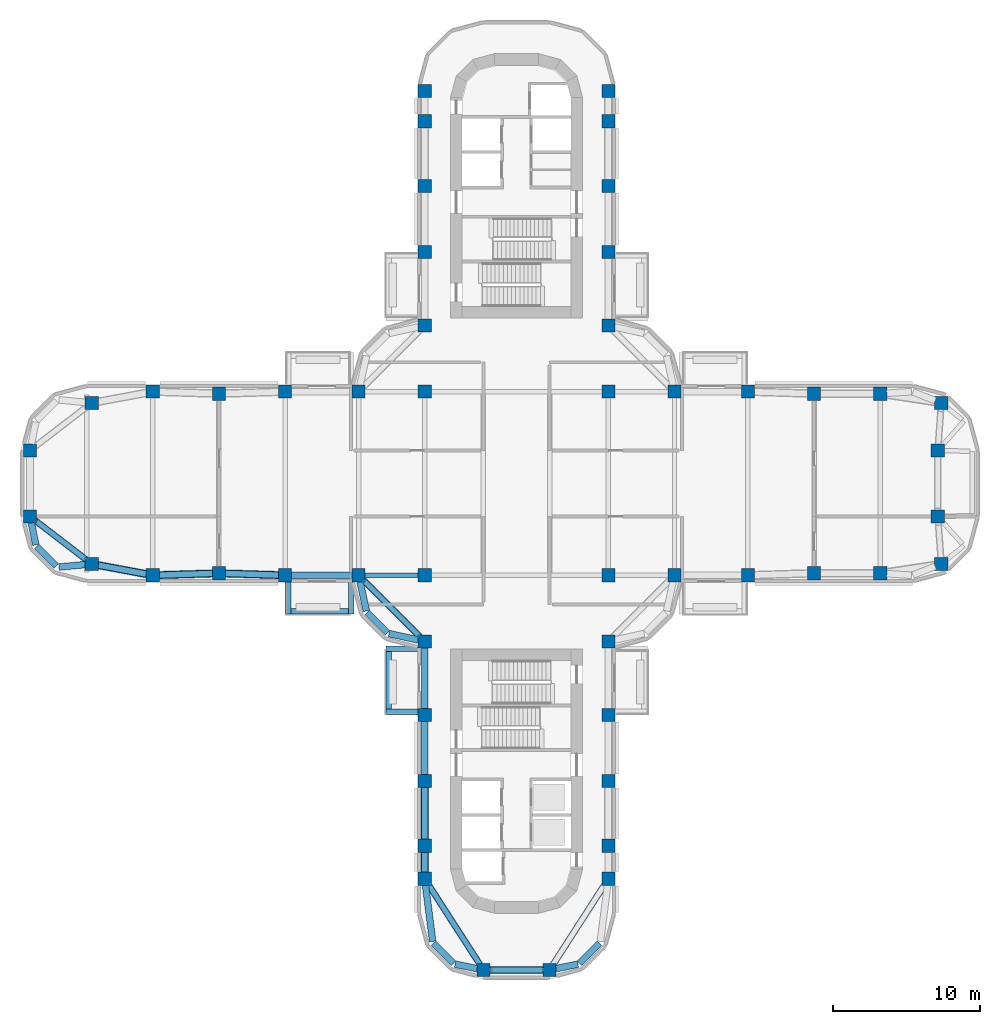
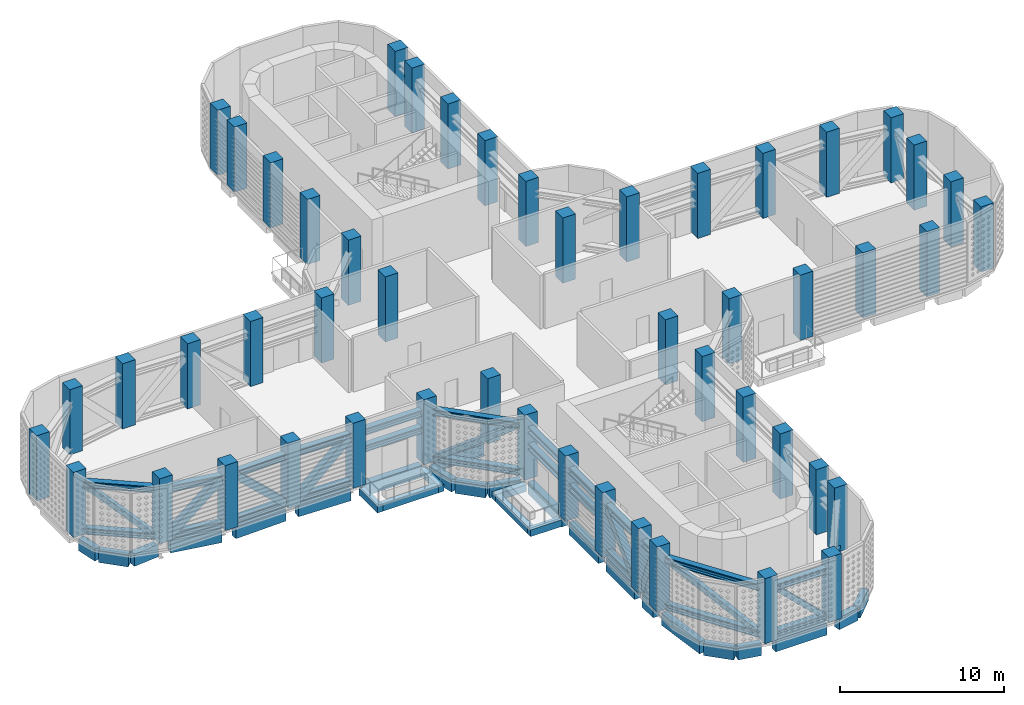
# One storey, part 1 of 20: 50 columns, 34 members, 27 beams.
"""IFC4 building model written with IfcOpenShell, lengths in metres."""

import ifcopenshell
import ifcopenshell.guid

model = None  # the IFC model being written
_history = None  # IfcOwnerHistory: only IFC2X3 demands one
_inside = {}  # id of a spatial element -> (the spatial element, [elements in it])
_under = {}  # id of a project, library or spatial element -> (it, [spatial elements below it])
_declared = {}  # id of a project -> (the project, [libraries it declares])
_typed = {}  # id of a type object -> (the type object, [elements of that type])
_made_of = {}  # id of a material, layer set ... -> (it, [elements and type objects made of it])


def new_model(schema):
    """Start an empty IFC model of exactly this schema.

    Asked for "IFC4X3", IfcOpenShell would pick the latest addendum, in which some entities
    have other attributes; the version numbers below select the first issue.
    IFC2X3 requires an IfcOwnerHistory on every rooted entity: one is made here for all.
    """
    global model, _history
    if schema == "IFC4X3":
        model = ifcopenshell.file(schema_version=(4, 3, 0, 0))
    else:
        model = ifcopenshell.file(schema=schema)
    _inside.clear()
    _under.clear()
    _declared.clear()
    _typed.clear()
    _made_of.clear()
    _history = None
    if model.schema == "IFC2X3":
        org = make("IfcOrganization", Name="unknown")
        user = make(
            "IfcPersonAndOrganization",
            ThePerson=make("IfcPerson", FamilyName="unknown"),
            TheOrganization=org,
        )
        app = make(
            "IfcApplication",
            ApplicationDeveloper=org,
            Version="unknown",
            ApplicationFullName="unknown",
            ApplicationIdentifier="unknown",
        )
        _history = make(
            "IfcOwnerHistory",
            OwningUser=user,
            OwningApplication=app,
            ChangeAction="ADDED",
            CreationDate=0,
        )
    return model


def make(cls, **values):
    """One entity of the class cls with the attributes given. An attribute that is None is left unset."""
    return model.create_entity(
        cls, **{name: value for name, value in values.items() if value is not None}
    )


def rooted(cls, **values):
    """An entity with a GlobalId (a new one), such as an element, a storey or a relation."""
    return make(cls, GlobalId=ifcopenshell.guid.new(), OwnerHistory=_history, **values)


def si_unit(unit_type, name, prefix=None):
    """IfcSIUnit, for example si_unit("LENGTHUNIT", "METRE", prefix="MILLI")."""
    return make("IfcSIUnit", UnitType=unit_type, Prefix=prefix, Name=name)


def assignment(units):
    """IfcUnitAssignment: the units of a project."""
    return None if units is None else make("IfcUnitAssignment", Units=units)


def point(xyz):
    """IfcCartesianPoint."""
    return None if xyz is None else make("IfcCartesianPoint", Coordinates=xyz)


def direction(xyz):
    """IfcDirection."""
    return None if xyz is None else make("IfcDirection", DirectionRatios=xyz)


def frame(location, z_axis=None, x_axis=None):
    """IfcAxis2Placement3D, a coordinate frame: its origin and axes. An axis left out is left unset."""
    return make(
        "IfcAxis2Placement3D",
        Location=point(location),
        Axis=direction(z_axis),
        RefDirection=direction(x_axis),
    )


def frame_2d(location, x_axis=None):
    """IfcAxis2Placement2D, a coordinate frame in the plane: its origin and x axis."""
    return make(
        "IfcAxis2Placement2D", Location=point(location), RefDirection=direction(x_axis)
    )


def origin():
    """The frame at (0, 0, 0) with its axes left unset."""
    return frame((0.0, 0.0, 0.0))


def origin_2d():
    """The frame at (0, 0) in the plane with its x axis left unset."""
    return frame_2d((0.0, 0.0))


def place(relative_to, where):
    """IfcLocalPlacement: puts the frame where relative to a parent placement (None: the world)."""
    return make(
        "IfcLocalPlacement", PlacementRelTo=relative_to, RelativePlacement=where
    )


def context(
    kind, dimensions, precision=None, world=None, true_north=None, identifier=None
):
    """IfcGeometricRepresentationContext, for example the 3D "Model" context."""
    return make(
        "IfcGeometricRepresentationContext",
        ContextIdentifier=identifier,
        ContextType=kind,
        CoordinateSpaceDimension=dimensions,
        Precision=precision,
        WorldCoordinateSystem=world,
        TrueNorth=true_north,
    )


def subcontext(parent, identifier, kind, view, scale=None):
    """IfcGeometricRepresentationSubContext, for example "Body" below "Model"."""
    return make(
        "IfcGeometricRepresentationSubContext",
        ContextIdentifier=identifier,
        ContextType=kind,
        ParentContext=parent,
        TargetScale=scale,
        TargetView=view,
    )


def project(units=None, contexts=None):
    """IfcProject with its units and contexts."""
    return rooted(
        "IfcProject",
        Name="project",
        RepresentationContexts=contexts,
        UnitsInContext=assignment(units),
    )


def spatial(cls, under=None, at=None, **own):
    """A site, building, storey or space (cls), placed at a placement, below another one or the project."""
    s = rooted(cls, ObjectPlacement=at, **own)
    if under is not None:
        _under.setdefault(under.id(), (under, []))[1].append(s)
    return s


def profile(cls, at=None, kind="AREA", **sizes):
    """A parametric profile (cls). Its sizes go by their IFC names, for example OverallWidth=200.0."""
    return make(cls, ProfileType=kind, Position=at, **sizes)


def rectangle(**sizes):
    """IfcRectangleProfileDef."""
    return profile("IfcRectangleProfileDef", **sizes)


def hollow_rectangle(**sizes):
    """IfcRectangleHollowProfileDef."""
    return profile("IfcRectangleHollowProfileDef", **sizes)


def i_section(**sizes):
    """IfcIShapeProfileDef."""
    return profile("IfcIShapeProfileDef", **sizes)


def extrude(swept, where, along, depth):
    """IfcExtrudedAreaSolid: the profile swept, set in the frame where, extruded along a direction by depth."""
    return make(
        "IfcExtrudedAreaSolid",
        SweptArea=swept,
        Position=where,
        ExtrudedDirection=direction(along),
        Depth=depth,
    )


def shape(context_of_items, identifier, shape_type, items):
    """IfcShapeRepresentation: the items that make up one representation, for example the "Body"."""
    return make(
        "IfcShapeRepresentation",
        ContextOfItems=context_of_items,
        RepresentationIdentifier=identifier,
        RepresentationType=shape_type,
        Items=items,
    )


def material(Name=None, Category=None):
    """IfcMaterial."""
    return make("IfcMaterial", Name=Name, Category=Category)


def material_profile(
    of_material, cross_section, Name=None, Category=None, Priority=None
):
    """IfcMaterialProfile: a cross section and its material."""
    return make(
        "IfcMaterialProfile",
        Name=Name,
        Material=of_material,
        Profile=cross_section,
        Priority=Priority,
        Category=Category,
    )


def profile_set(profiles, Name=None, composite=None):
    """IfcMaterialProfileSet."""
    return make(
        "IfcMaterialProfileSet",
        Name=Name,
        MaterialProfiles=profiles,
        CompositeProfile=composite,
    )


def made_of(thing, what):
    """Note that an element or type object is made of a material, layer set ...; save() writes the relation."""
    if what is not None:
        _made_of.setdefault(what.id(), (what, []))[1].append(thing)
    return thing


def type_object(cls, material=None, **own):
    """A type object (cls), such as IfcWallType, which elements share."""
    return made_of(rooted(cls, **own), material)


def element(
    cls,
    number,
    at=None,
    inside=None,
    cuts=None,
    type_object=None,
    material=None,
    context=None,
    identifier="Body",
    shape_type=None,
    held_by="IfcProductDefinitionShape",
    body=None,
    shapes=None,
    **own,
):
    """One element of the class cls, such as IfcWall. Its Tag is "e" and its number.

    at: its placement. inside: the storey or other place that contains it. cuts: it is an
    opening in that element (IfcRelVoidsElement). A single representation is given by context,
    identifier, shape_type and body (its items); several are given by shapes. held_by: the class
    of the entity that holds the representations. save() writes the other relations.
    """
    e = rooted(cls, Tag="e%d" % number, ObjectPlacement=at, **own)
    if body is not None:
        shapes = [shape(context, identifier, shape_type, body)]
    if shapes is not None:
        e.Representation = make(held_by, Representations=shapes)
    if inside is not None:
        _inside.setdefault(inside.id(), (inside, []))[1].append(e)
    if cuts is not None:
        rooted(
            "IfcRelVoidsElement", RelatingBuildingElement=cuts, RelatedOpeningElement=e
        )
    if type_object is not None:
        _typed.setdefault(type_object.id(), (type_object, []))[1].append(e)
    return made_of(e, material)


def aggregate(whole, parts):
    """IfcRelAggregates: a whole, such as a stair, and the parts it consists of."""
    return rooted("IfcRelAggregates", RelatingObject=whole, RelatedObjects=parts)


def save(model, path):
    """Write the relations noted so far, then the file.

    IfcRelAggregates (storeys below a building ...), IfcRelContainedInSpatialStructure (elements
    in a storey), IfcRelDefinesByType, IfcRelAssociatesMaterial and IfcRelDeclares: one each for
    every whole, place, type object, material and project.
    """
    for whole, parts in _under.values():
        aggregate(whole, parts)
    for where, things in _inside.values():
        rooted(
            "IfcRelContainedInSpatialStructure",
            RelatedElements=things,
            RelatingStructure=where,
        )
    for kind, things in _typed.values():
        rooted("IfcRelDefinesByType", RelatedObjects=things, RelatingType=kind)
    for what, things in _made_of.values():
        rooted("IfcRelAssociatesMaterial", RelatedObjects=things, RelatingMaterial=what)
    for by, libraries in _declared.values():
        rooted("IfcRelDeclares", RelatingContext=by, RelatedDefinitions=libraries)
    model.write(path)


model = new_model("IFC4")

# Units and contexts
model_context = context("Model", 3, precision=1e-05, world=origin(), true_north=direction((0.0, 1.0)))
body_context = subcontext(model_context, "Body", "Model", "MODEL_VIEW")
ifc_project = project(units=[si_unit("LENGTHUNIT", "METRE"), si_unit("AREAUNIT", "SQUARE_METRE"), si_unit("VOLUMEUNIT", "CUBIC_METRE"), si_unit("PLANEANGLEUNIT", "RADIAN"), si_unit("MASSUNIT", "GRAM", prefix="KILO")], contexts=[model_context])

# Site, building, storey
site_placement = place(None, origin())
site = spatial("IfcSite", under=ifc_project, at=site_placement, CompositionType="ELEMENT")
building_placement = place(site_placement, origin())
building = spatial("IfcBuilding", under=site, at=building_placement, Name="Zarbagh Exchange Tower", CompositionType="ELEMENT")
storey_placement = place(building_placement, frame((0.0, 0.0, 136.0)))
storey = spatial("IfcBuildingStorey", under=building, at=storey_placement, Name="L32", CompositionType="ELEMENT", Elevation=136.0)

# Columns
ifc_material_1 = material(Name="Concrete C60/75", Category="concrete")
ifc_material_profile_1 = material_profile(ifc_material_1, rectangle(XDim=0.89990234375, YDim=0.89990234375, at=origin_2d()), Name="RC column 900 x 900 C60/75")
ifc_profile_set_1 = profile_set([ifc_material_profile_1], Name="Concrete C60/75")
column_type = type_object("IfcColumnType", Name="RC column 900 x 900 C60/75", PredefinedType="COLUMN", material=ifc_profile_set_1)
for number, where, z_axis, x_axis, name in (
    (1, (-33.110107421875, -2.25, 0.0), (0.0, 0.0, 1.0), (1.0, 0.0, 0.0), "C3 10/S"),
    (2, (-33.110107421875, 2.25, 0.0), (0.0, 0.0, 1.0), (1.0, 0.0, 0.0), "C3 10/T"),
    (3, (-28.907958984375, -5.47509765625, 0.0), (0.0, 0.0, 1.0), (1.0, 0.0, 0.0), "C3 11/R"),
    (4, (-28.907958984375, 5.47509765625, 0.0), (0.0, 0.0, 1.0), (1.0, 0.0, 0.0), "C3 11/U"),
    (5, (-24.75, -6.25, 0.0), (0.0, 0.0, 1.0), (1.0, 0.0, 0.0), "C3 12/R"),
    (6, (-24.75, 6.25, 0.0), (0.0, 0.0, 1.0), (1.0, 0.0, 0.0), "C3 12/U"),
    (7, (-20.25, -6.110107421875, 0.0), (0.0, 0.0, 1.0), (1.0, 0.0, 0.0), "C3 13/R"),
    (8, (-20.25, 6.110107421875, 0.0), (0.0, 0.0, 1.0), (1.0, 0.0, 0.0), "C3 13/U"),
    (9, (-15.75, -6.25, 0.0), (0.0, 0.0, 1.0), (1.0, 0.0, 0.0), "C3 14/R"),
    (10, (-15.75, 6.25, 0.0), (0.0, 0.0, 1.0), (1.0, 0.0, 0.0), "C3 14/U"),
    (11, (-10.75, -6.25, 0.0), (0.0, 0.0, 1.0), (1.0, 0.0, 0.0), "C3 15/R"),
    (12, (-10.75, 6.25, 0.0), (0.0, 0.0, 1.0), (1.0, 0.0, 0.0), "C3 15/U"),
    (13, (-6.25, -26.89990234375, 0.0), (0.0, 0.0, 1.0), (1.0, 0.0, 0.0), "C3 16/L"),
    (14, (-6.25, -24.64990234375, 0.0), (0.0, 0.0, 1.0), (1.0, 0.0, 0.0), "C3 16/M"),
    (15, (-6.25, -20.25, 0.0), (0.0, 0.0, 1.0), (1.0, 0.0, 0.0), "C3 16/N"),
    (16, (-6.25, -15.75, 0.0), (0.0, 0.0, 1.0), (1.0, 0.0, 0.0), "C3 16/P"),
    (17, (-6.25, -10.75, 0.0), (0.0, 0.0, 1.0), (1.0, 0.0, 0.0), "C3 16/Q"),
    (18, (-6.25, -6.25, 0.0), (0.0, 0.0, 1.0), (1.0, 0.0, 0.0), "C3 16/R"),
    (19, (-6.25, 6.25, 0.0), (0.0, 0.0, 1.0), (1.0, 0.0, 0.0), "C3 16/U"),
    (20, (-6.25, 10.75, 0.0), (0.0, 0.0, 1.0), (1.0, 0.0, 0.0), "C3 16/V"),
    (21, (-6.25, 15.75, 0.0), (0.0, 0.0, 1.0), (1.0, 0.0, 0.0), "C3 16/W"),
    (22, (-6.25, 20.25, 0.0), (0.0, 0.0, 1.0), (1.0, 0.0, 0.0), "C3 16/X"),
    (23, (-6.25, 24.64990234375, 0.0), (0.0, 0.0, 1.0), (1.0, 0.0, 0.0), "C3 16/Y"),
    (24, (-6.25, 26.699951171875, 0.0), (0.0, 0.0, 1.0), (1.0, 0.0, 0.0), "C3 16/Z"),
    (25, (-2.25, -33.110107421875, 0.0), (0.0, 0.0, 1.0), (1.0, 0.0, 0.0), "C3 17/K"),
    (26, (2.25, -33.110107421875, 0.0), (0.0, 0.0, 1.0), (1.0, 0.0, 0.0), "C3 18/K"),
    (27, (6.25, -26.89990234375, 0.0), (0.0, 0.0, 1.0), (1.0, 0.0, 0.0), "C3 19/L"),
    (28, (6.25, -24.64990234375, 0.0), (0.0, 0.0, 1.0), (1.0, 0.0, 0.0), "C3 19/M"),
    (29, (6.25, -20.25, 0.0), (0.0, 0.0, 1.0), (1.0, 0.0, 0.0), "C3 19/N"),
    (30, (6.25, -15.75, 0.0), (0.0, 0.0, 1.0), (1.0, 0.0, 0.0), "C3 19/P"),
    (31, (6.25, -10.75, 0.0), (0.0, 0.0, 1.0), (1.0, 0.0, 0.0), "C3 19/Q"),
    (32, (6.25, -6.25, 0.0), (0.0, 0.0, 1.0), (1.0, 0.0, 0.0), "C3 19/R"),
    (33, (6.25, 6.25, 0.0), (0.0, 0.0, 1.0), (1.0, 0.0, 0.0), "C3 19/U"),
    (34, (6.25, 10.75, 0.0), (0.0, 0.0, 1.0), (1.0, 0.0, 0.0), "C3 19/V"),
    (35, (6.25, 15.75, 0.0), (0.0, 0.0, 1.0), (1.0, 0.0, 0.0), "C3 19/W"),
    (36, (6.25, 20.25, 0.0), (0.0, 0.0, 1.0), (1.0, 0.0, 0.0), "C3 19/X"),
    (37, (6.25, 24.64990234375, 0.0), (0.0, 0.0, 1.0), (1.0, 0.0, 0.0), "C3 19/Y"),
    (38, (6.25, 26.699951171875, 0.0), (0.0, 0.0, 1.0), (1.0, 0.0, 0.0), "C3 19/Z"),
    (39, (10.75, -6.25, 0.0), (0.0, 0.0, 1.0), (1.0, 0.0, 0.0), "C3 20/R"),
    (40, (10.75, 6.25, 0.0), (0.0, 0.0, 1.0), (1.0, 0.0, 0.0), "C3 20/U"),
    (41, (15.75, -6.25, 0.0), (0.0, 0.0, 1.0), (1.0, 0.0, 0.0), "C3 21/R"),
    (42, (15.75, 6.25, 0.0), (0.0, 0.0, 1.0), (1.0, 0.0, 0.0), "C3 21/U"),
    (43, (20.25, -6.110107421875, 0.0), (0.0, 0.0, 1.0), (1.0, 0.0, 0.0), "C3 22/R"),
    (44, (20.25, 6.110107421875, 0.0), (0.0, 0.0, 1.0), (1.0, 0.0, 0.0), "C3 22/U"),
    (45, (24.75, -6.110107421875, 0.0), (0.0, 0.0, 1.0), (1.0, 0.0, 0.0), "C3 23/R"),
    (46, (24.75, 6.110107421875, 0.0), (0.0, 0.0, 1.0), (1.0, 0.0, 0.0), "C3 23/U"),
    (47, (28.907958984375, -5.47509765625, 0.0), (0.0, 0.0, 1.0), (1.0, 0.0, 0.0), "C3 24/R"),
    (48, (28.669921875, -2.25, 0.0), (0.0, 0.0, 1.0), (1.0, 0.0, 0.0), "C3 24/S"),
    (49, (28.669921875, 2.25, 0.0), (0.0, 0.0, 1.0), (1.0, 0.0, 0.0), "C3 24/T"),
    (50, (28.907958984375, 5.47509765625, 0.0), (0.0, 0.0, 1.0), (1.0, 0.0, 0.0), "C3 24/U"),
):
    element("IfcColumn", number, at=place(storey_placement, frame(where, z_axis=z_axis, x_axis=x_axis)), inside=storey, type_object=column_type, Name=name, PredefinedType="COLUMN", context=body_context, shape_type="SweptSolid", body=[
        extrude(rectangle(XDim=0.89990234375, YDim=0.89990234375, at=origin_2d()), origin(), (0.0, 0.0, 1.0), 4.85009765625),
    ])

# Members
ifc_material_2 = material(Name="Steel ASTM A992 Gr 50", Category="steel")
ifc_material_profile_2 = material_profile(ifc_material_2, i_section(OverallWidth=0.421630859375, OverallDepth=0.46484375, WebThickness=0.044921875, FlangeThickness=0.072509765625, at=origin_2d()), Name="W14X398")
ifc_profile_set_2 = profile_set([ifc_material_profile_2], Name="Steel ASTM A992 Gr 50")
member_type_1 = type_object("IfcMemberType", Name="Belt truss chord W14X398", PredefinedType="CHORD", material=ifc_profile_set_2)
for number, where, z_axis, x_axis, name in (
    (51, (-2.49365234375, -32.731689453125, 0.232421875), (-0.541516354651, 0.840690215029, 0.0), (-0.840690215029, -0.541516354651, 0.0), "Belt truss chord"),
    (52, (-2.49365234375, -32.731689453125, 3.697509765625), (-0.541516354651, 0.840690215029, 0.0), (-0.840690215029, -0.541516354651, 0.0), "Belt truss chord"),
):
    element("IfcMember", number, at=place(storey_placement, frame(where, z_axis=z_axis, x_axis=x_axis)), inside=storey, type_object=member_type_1, Name=name, PredefinedType="CHORD", context=body_context, shape_type="SweptSolid", body=[
        extrude(i_section(OverallWidth=0.421630859375, OverallDepth=0.46484375, WebThickness=0.044921875, FlangeThickness=0.072509765625, at=origin_2d()), origin(), (0.0, 0.0, 1.0), 6.48681640625),
    ])
for number, where, z_axis, x_axis, name in (
    (53, (-6.568115234375, -10.431884765625, 0.232421875), (-0.707106781187, 0.707106781187, 0.0), (-0.707106781187, -0.707106781187, 0.0), "Belt truss chord"),
    (54, (-6.568115234375, -10.431884765625, 3.697509765625), (-0.707106781187, 0.707106781187, 0.0), (-0.707106781187, -0.707106781187, 0.0), "Belt truss chord"),
):
    element("IfcMember", number, at=place(storey_placement, frame(where, z_axis=z_axis, x_axis=x_axis)), inside=storey, type_object=member_type_1, Name=name, PredefinedType="CHORD", context=body_context, shape_type="SweptSolid", body=[
        extrude(i_section(OverallWidth=0.421630859375, OverallDepth=0.46484375, WebThickness=0.044921875, FlangeThickness=0.072509765625, at=origin_2d()), origin(), (0.0, 0.0, 1.0), 5.464111328125),
    ])
for number, where, z_axis, x_axis, name in (
    (55, (-29.264892578125, -5.200927734375, 0.232421875), (-0.793294357749, 0.608838288844, 0.0), (-0.608838288844, -0.793294357749, 0.0), "Belt truss chord"),
    (56, (-29.264892578125, -5.200927734375, 3.697509765625), (-0.793294357749, 0.608838288844, 0.0), (-0.608838288844, -0.793294357749, 0.0), "Belt truss chord"),
):
    element("IfcMember", number, at=place(storey_placement, frame(where, z_axis=z_axis, x_axis=x_axis)), inside=storey, type_object=member_type_1, Name=name, PredefinedType="CHORD", context=body_context, shape_type="SweptSolid", body=[
        extrude(i_section(OverallWidth=0.421630859375, OverallDepth=0.46484375, WebThickness=0.044921875, FlangeThickness=0.072509765625, at=origin_2d()), origin(), (0.0, 0.0, 1.0), 4.39697265625),
    ])
member_1_placement = place(storey_placement, frame((6.00634765625, -27.2783203125, 0.232421875), z_axis=(-0.541516354651, -0.840690215029, 0.0), x_axis=(0.840690215029, -0.541516354651, 0.0)))
element("IfcMember", 57, at=member_1_placement, inside=storey, type_object=member_type_1, Name="Belt truss chord", PredefinedType="CHORD", context=body_context, shape_type="SweptSolid", body=[
    extrude(i_section(OverallWidth=0.421630859375, OverallDepth=0.46484375, WebThickness=0.044921875, FlangeThickness=0.072509765625, at=origin_2d()), origin(), (0.0, 0.0, 1.0), 6.48681640625),
])
for number, where, z_axis, x_axis, name in (
    (58, (1.800048828125, -33.110107421875, 0.232421875), (-1.0, 0.0, 0.0), (0.0, -1.0, 0.0), "Belt truss chord"),
    (59, (1.800048828125, -33.110107421875, 3.697509765625), (-1.0, 0.0, 0.0), (0.0, -1.0, 0.0), "Belt truss chord"),
):
    element("IfcMember", number, at=place(storey_placement, frame(where, z_axis=z_axis, x_axis=x_axis)), inside=storey, type_object=member_type_1, Name=name, PredefinedType="CHORD", context=body_context, shape_type="SweptSolid", body=[
        extrude(i_section(OverallWidth=0.421630859375, OverallDepth=0.46484375, WebThickness=0.044921875, FlangeThickness=0.072509765625, at=origin_2d()), origin(), (0.0, 0.0, 1.0), 3.60009765625),
    ])
ifc_material_3 = material(Name="Steel ASTM A500 Gr C", Category="steel")
ifc_material_profile_3 = material_profile(ifc_material_3, hollow_rectangle(XDim=0.355712890625, YDim=0.355712890625, WallThickness=0.014892578125, at=origin_2d()), Name="HSS14X14X5/8")
ifc_profile_set_3 = profile_set([ifc_material_profile_3], Name="Steel ASTM A500 Gr C")
member_type_2 = type_object("IfcMemberType", Name="Belt truss diagonal HSS14X14X5/8", PredefinedType="BRACE", material=ifc_profile_set_3)
member_2_placement = place(storey_placement, frame((-2.49365234375, -32.731689453125, 0.232421875), z_axis=(-0.477641081446, 0.741525495986, 0.471167630592), x_axis=(-0.840690215029, -0.541516354651, 0.0)))
element("IfcMember", 60, at=member_2_placement, inside=storey, type_object=member_type_2, Name="Belt truss diagonal", PredefinedType="BRACE", context=body_context, shape_type="SweptSolid", body=[
    extrude(hollow_rectangle(XDim=0.355712890625, YDim=0.355712890625, WallThickness=0.014892578125, at=origin_2d()), origin(), (0.0, 0.0, 1.0), 7.354248046875),
])
member_3_placement = place(storey_placement, frame((-10.431884765625, -6.568115234375, 0.232421875), z_axis=(0.597158313507, -0.597158313507, 0.535540752155), x_axis=(0.707106781187, 0.707106781187, 0.0)))
element("IfcMember", 61, at=member_3_placement, inside=storey, type_object=member_type_2, Name="Belt truss diagonal", PredefinedType="BRACE", context=body_context, shape_type="SweptSolid", body=[
    extrude(hollow_rectangle(XDim=0.355712890625, YDim=0.355712890625, WallThickness=0.014892578125, at=origin_2d()), origin(), (0.0, 0.0, 1.0), 6.47021484375),
])
member_4_placement = place(storey_placement, frame((-29.264892578125, -5.200927734375, 0.232421875), z_axis=(-0.623066692411, 0.478191802498, 0.618967282522), x_axis=(-0.608838288844, -0.793294357749, 0.0)))
element("IfcMember", 62, at=member_4_placement, inside=storey, type_object=member_type_2, Name="Belt truss diagonal", PredefinedType="BRACE", context=body_context, shape_type="SweptSolid", body=[
    extrude(hollow_rectangle(XDim=0.355712890625, YDim=0.355712890625, WallThickness=0.014892578125, at=origin_2d()), origin(), (0.0, 0.0, 1.0), 5.59814453125),
])
member_5_placement = place(storey_placement, frame((1.800048828125, -33.110107421875, 0.232421875), z_axis=(-0.720487463662, 0.0, 0.693467962278), x_axis=(0.0, -1.0, 0.0)))
element("IfcMember", 63, at=member_5_placement, inside=storey, type_object=member_type_2, Name="Belt truss diagonal", PredefinedType="BRACE", context=body_context, shape_type="SweptSolid", body=[
    extrude(hollow_rectangle(XDim=0.355712890625, YDim=0.355712890625, WallThickness=0.014892578125, at=origin_2d()), origin(), (0.0, 0.0, 1.0), 4.996826171875),
])

# Beam
ifc_material_profile_4 = material_profile(ifc_material_2, i_section(OverallWidth=0.3046875, OverallDepth=0.911865234375, WebThickness=0.015869140625, FlangeThickness=0.02392578125, at=origin_2d()), Name="W36X150")
ifc_profile_set_4 = profile_set([ifc_material_profile_4], Name="Steel ASTM A992 Gr 50")
beam_type_1 = type_object("IfcBeamType", Name="Floor girder W36X150", PredefinedType="BEAM", material=ifc_profile_set_4)
beam_1_placement = place(storey_placement, frame((-10.300048828125, -6.25, -0.60595703125), z_axis=(1.0, 0.0, 0.0), x_axis=(0.0, 1.0, 0.0)))
element("IfcBeam", 64, at=beam_1_placement, inside=storey, type_object=beam_type_1, Name="Steel girder", PredefinedType="BEAM", context=body_context, shape_type="SweptSolid", body=[
    extrude(i_section(OverallWidth=0.3046875, OverallDepth=0.911865234375, WebThickness=0.015869140625, FlangeThickness=0.02392578125, at=origin_2d()), origin(), (0.0, 0.0, 1.0), 3.60009765625),
])

# Members
ifc_material_profile_5 = material_profile(ifc_material_2, i_section(OverallWidth=0.4267578125, OverallDepth=0.482666015625, WebThickness=0.05126953125, FlangeThickness=0.08154296875, at=origin_2d()), Name="W14X455")
ifc_profile_set_5 = profile_set([ifc_material_profile_5], Name="Steel ASTM A992 Gr 50")
member_type_3 = type_object("IfcMemberType", Name="Outrigger truss chord W14X455", PredefinedType="CHORD", material=ifc_profile_set_5)
for number, where, z_axis, x_axis, name in (
    (65, (-6.25, -26.449951171875, 0.2412109375), (0.0, 1.0, 0.0), (-1.0, 0.0, 0.0), "Outrigger truss chord"),
    (66, (-6.25, -26.449951171875, 3.688720703125), (0.0, 1.0, 0.0), (-1.0, 0.0, 0.0), "Outrigger truss chord"),
):
    element("IfcMember", number, at=place(storey_placement, frame(where, z_axis=z_axis, x_axis=x_axis)), inside=storey, type_object=member_type_3, Name=name, PredefinedType="CHORD", context=body_context, shape_type="SweptSolid", body=[
        extrude(i_section(OverallWidth=0.4267578125, OverallDepth=0.482666015625, WebThickness=0.05126953125, FlangeThickness=0.08154296875, at=origin_2d()), origin(), (0.0, 0.0, 1.0), 1.349853515625),
    ])
for number, where, z_axis, x_axis, name in (
    (67, (-6.25, -24.199951171875, 0.2412109375), (0.0, 1.0, 0.0), (-1.0, 0.0, 0.0), "Outrigger truss chord"),
    (68, (-6.25, -24.199951171875, 3.688720703125), (0.0, 1.0, 0.0), (-1.0, 0.0, 0.0), "Outrigger truss chord"),
):
    element("IfcMember", number, at=place(storey_placement, frame(where, z_axis=z_axis, x_axis=x_axis)), inside=storey, type_object=member_type_3, Name=name, PredefinedType="CHORD", context=body_context, shape_type="SweptSolid", body=[
        extrude(i_section(OverallWidth=0.4267578125, OverallDepth=0.482666015625, WebThickness=0.05126953125, FlangeThickness=0.08154296875, at=origin_2d()), origin(), (0.0, 0.0, 1.0), 3.5),
    ])
for number, where, z_axis, x_axis, name in (
    (69, (-6.25, -19.800048828125, 2.44140625), (0.0, 1.0, 0.0), (-1.0, 0.0, 0.0), "Outrigger truss chord"),
    (70, (-6.25, -19.800048828125, 3.688720703125), (0.0, 1.0, 0.0), (-1.0, 0.0, 0.0), "Outrigger truss chord"),
):
    element("IfcMember", number, at=place(storey_placement, frame(where, z_axis=z_axis, x_axis=x_axis)), inside=storey, type_object=member_type_3, Name=name, PredefinedType="CHORD", context=body_context, shape_type="SweptSolid", body=[
        extrude(i_section(OverallWidth=0.4267578125, OverallDepth=0.482666015625, WebThickness=0.05126953125, FlangeThickness=0.08154296875, at=origin_2d()), origin(), (0.0, 0.0, 1.0), 3.60009765625),
    ])
for number, where, z_axis, x_axis, name in (
    (71, (-6.25, -15.300048828125, 2.44140625), (0.0, 1.0, 0.0), (-1.0, 0.0, 0.0), "Outrigger truss chord"),
    (72, (-6.25, -15.300048828125, 3.688720703125), (0.0, 1.0, 0.0), (-1.0, 0.0, 0.0), "Outrigger truss chord"),
    (73, (-11.199951171875, -6.25, 2.44140625), (-1.0, 0.0, 0.0), (0.0, -1.0, 0.0), "Outrigger truss chord"),
    (74, (-11.199951171875, -6.25, 3.688720703125), (-1.0, 0.0, 0.0), (0.0, -1.0, 0.0), "Outrigger truss chord"),
):
    element("IfcMember", number, at=place(storey_placement, frame(where, z_axis=z_axis, x_axis=x_axis)), inside=storey, type_object=member_type_3, Name=name, PredefinedType="CHORD", context=body_context, shape_type="SweptSolid", body=[
        extrude(i_section(OverallWidth=0.4267578125, OverallDepth=0.482666015625, WebThickness=0.05126953125, FlangeThickness=0.08154296875, at=origin_2d()), origin(), (0.0, 0.0, 1.0), 4.10009765625),
    ])
for number, where, z_axis, x_axis, name in (
    (75, (-16.19970703125, -6.236083984375, 0.2412109375), (-0.999516035224, 0.031107801747, 0.0), (-0.031107801747, -0.999516035224, 0.0), "Outrigger truss chord"),
    (76, (-16.19970703125, -6.236083984375, 3.688720703125), (-0.999516035224, 0.031107801747, 0.0), (-0.031107801747, -0.999516035224, 0.0), "Outrigger truss chord"),
    (77, (-20.69970703125, -6.1240234375, 0.2412109375), (-0.999516035224, -0.031107801747, 0.0), (0.031107801747, -0.999516035224, 0.0), "Outrigger truss chord"),
    (78, (-20.69970703125, -6.1240234375, 3.688720703125), (-0.999516035224, -0.031107801747, 0.0), (0.031107801747, -0.999516035224, 0.0), "Outrigger truss chord"),
):
    element("IfcMember", number, at=place(storey_placement, frame(where, z_axis=z_axis, x_axis=x_axis)), inside=storey, type_object=member_type_3, Name=name, PredefinedType="CHORD", context=body_context, shape_type="SweptSolid", body=[
        extrude(i_section(OverallWidth=0.4267578125, OverallDepth=0.482666015625, WebThickness=0.05126953125, FlangeThickness=0.08154296875, at=origin_2d()), origin(), (0.0, 0.0, 1.0), 3.602294921875),
    ])
for number, where, z_axis, x_axis, name in (
    (79, (-25.1923828125, -6.16748046875, 0.2412109375), (-0.98308156541, 0.183168326277, 0.0), (-0.183168326277, -0.98308156541, 0.0), "Outrigger truss chord"),
    (80, (-25.1923828125, -6.16748046875, 3.688720703125), (-0.98308156541, 0.183168326277, 0.0), (-0.183168326277, -0.98308156541, 0.0), "Outrigger truss chord"),
):
    element("IfcMember", number, at=place(storey_placement, frame(where, z_axis=z_axis, x_axis=x_axis)), inside=storey, type_object=member_type_3, Name=name, PredefinedType="CHORD", context=body_context, shape_type="SweptSolid", body=[
        extrude(i_section(OverallWidth=0.4267578125, OverallDepth=0.482666015625, WebThickness=0.05126953125, FlangeThickness=0.08154296875, at=origin_2d()), origin(), (0.0, 0.0, 1.0), 3.32958984375),
    ])
ifc_material_profile_6 = material_profile(ifc_material_3, hollow_rectangle(XDim=0.508056640625, YDim=0.508056640625, WallThickness=0.017578125, at=origin_2d()), Name="HSS20X20X3/4")
ifc_profile_set_6 = profile_set([ifc_material_profile_6], Name="Steel ASTM A500 Gr C")
member_type_4 = type_object("IfcMemberType", Name="Outrigger truss diagonal HSS20X20X3/4", PredefinedType="BRACE", material=ifc_profile_set_6)
member_6_placement = place(storey_placement, frame((-6.25, -25.10009765625, 0.2412109375), z_axis=(0.0, -0.364593274997, 0.93116687217), x_axis=(1.0, 0.0, 0.0)))
element("IfcMember", 81, at=member_6_placement, inside=storey, type_object=member_type_4, Name="Outrigger truss diagonal", PredefinedType="BRACE", context=body_context, shape_type="SweptSolid", body=[
    extrude(hollow_rectangle(XDim=0.508056640625, YDim=0.508056640625, WallThickness=0.017578125, at=origin_2d()), origin(), (0.0, 0.0, 1.0), 3.702392578125),
])
member_7_placement = place(storey_placement, frame((-6.25, -24.199951171875, 0.2412109375), z_axis=(0.0, 0.712428822808, 0.701744378269), x_axis=(-1.0, 0.0, 0.0)))
element("IfcMember", 82, at=member_7_placement, inside=storey, type_object=member_type_4, Name="Outrigger truss diagonal", PredefinedType="BRACE", context=body_context, shape_type="SweptSolid", body=[
    extrude(hollow_rectangle(XDim=0.508056640625, YDim=0.508056640625, WallThickness=0.017578125, at=origin_2d()), origin(), (0.0, 0.0, 1.0), 4.912841796875),
])
for number, where, z_axis, x_axis, name in (
    (83, (-19.80029296875, -6.1240234375, 0.2412109375), (0.722111521544, -0.022474178762, 0.691411499574), (0.031107801747, 0.999516035224, 0.0), "Outrigger truss diagonal"),
    (84, (-20.69970703125, -6.1240234375, 0.2412109375), (-0.722111521544, -0.022474178762, 0.691411499574), (0.031107801747, -0.999516035224, 0.0), "Outrigger truss diagonal"),
):
    element("IfcMember", number, at=place(storey_placement, frame(where, z_axis=z_axis, x_axis=x_axis)), inside=storey, type_object=member_type_4, Name=name, PredefinedType="BRACE", context=body_context, shape_type="SweptSolid", body=[
        extrude(hollow_rectangle(XDim=0.508056640625, YDim=0.508056640625, WallThickness=0.017578125, at=origin_2d()), origin(), (0.0, 0.0, 1.0), 4.986083984375),
    ])
member_8_placement = place(storey_placement, frame((-28.465576171875, -5.5576171875, 0.2412109375), z_axis=(0.682937912871, -0.127245387212, 0.719308291762), x_axis=(0.183168326277, 0.98308156541, 0.0)))
element("IfcMember", 85, at=member_8_placement, inside=storey, type_object=member_type_4, Name="Outrigger truss diagonal", PredefinedType="BRACE", context=body_context, shape_type="SweptSolid", body=[
    extrude(hollow_rectangle(XDim=0.508056640625, YDim=0.508056640625, WallThickness=0.017578125, at=origin_2d()), origin(), (0.0, 0.0, 1.0), 4.792724609375),
])

# Beams
ifc_material_4 = material(Name="Concrete C40/50", Category="concrete")
ifc_material_profile_7 = material_profile(ifc_material_4, rectangle(XDim=0.39990234375, YDim=0.5, at=origin_2d()), Name="RC bay edge beam 400 x 500 C40/50")
ifc_profile_set_7 = profile_set([ifc_material_profile_7], Name="Concrete C40/50")
beam_type_2 = type_object("IfcBeamType", Name="RC bay edge beam 400 x 500 C40/50", PredefinedType="BEAM", material=ifc_profile_set_7)
for number, where, z_axis, x_axis, name in (
    (86, (-8.699951171875, -15.35009765625, -0.39990234375), (0.0, 1.0, 0.0), (-1.0, 0.0, 0.0), "RC bay edge beam"),
    (87, (-15.35009765625, -8.699951171875, -0.39990234375), (1.0, 0.0, 0.0), (0.0, 1.0, 0.0), "RC bay edge beam"),
):
    element("IfcBeam", number, at=place(storey_placement, frame(where, z_axis=z_axis, x_axis=x_axis)), inside=storey, type_object=beam_type_2, Name=name, PredefinedType="BEAM", context=body_context, shape_type="SweptSolid", body=[
        extrude(rectangle(XDim=0.39990234375, YDim=0.5, at=origin_2d()), origin(), (0.0, 0.0, 1.0), 3.900146484375),
    ])
ifc_material_profile_8 = material_profile(ifc_material_4, rectangle(XDim=0.39990234375, YDim=0.5, at=origin_2d()), Name="RC cantilever beam 400 x 500 C40/50")
ifc_profile_set_8 = profile_set([ifc_material_profile_8], Name="Concrete C40/50")
beam_type_3 = type_object("IfcBeamType", Name="RC cantilever beam 400 x 500 C40/50", PredefinedType="BEAM", material=ifc_profile_set_8)
for number, where, z_axis, x_axis, name in (
    (88, (-6.699951171875, -15.550048828125, -0.39990234375), (-1.0, 0.0, 0.0), (0.0, -1.0, 0.0), "RC cantilever beam"),
    (89, (-6.699951171875, -11.25, -0.39990234375), (-1.0, 0.0, 0.0), (0.0, -1.0, 0.0), "RC cantilever beam"),
    (90, (-15.550048828125, -6.699951171875, -0.39990234375), (0.0, -1.0, 0.0), (1.0, 0.0, 0.0), "RC cantilever beam"),
    (91, (-11.25, -6.699951171875, -0.39990234375), (0.0, -1.0, 0.0), (1.0, 0.0, 0.0), "RC cantilever beam"),
):
    element("IfcBeam", number, at=place(storey_placement, frame(where, z_axis=z_axis, x_axis=x_axis)), inside=storey, type_object=beam_type_3, Name=name, PredefinedType="BEAM", context=body_context, shape_type="SweptSolid", body=[
        extrude(rectangle(XDim=0.39990234375, YDim=0.5, at=origin_2d()), origin(), (0.0, 0.0, 1.0), 2.199951171875),
    ])
ifc_material_profile_9 = material_profile(ifc_material_1, rectangle(XDim=0.449951171875, YDim=0.89990234375, at=origin_2d()), Name="RC spandrel beam 450 x 900 C60/75")
ifc_profile_set_9 = profile_set([ifc_material_profile_9], Name="Concrete C60/75")
beam_type_4 = type_object("IfcBeamType", Name="RC spandrel beam 450 x 900 C60/75", PredefinedType="SPANDREL", material=ifc_profile_set_9)
beam_2_placement = place(storey_placement, frame((-2.690673828125, -33.01904296875, -0.60009765625), z_axis=(-0.979328675816, 0.202275417995, 0.0), x_axis=(-0.202275417995, -0.979328675816, 0.0)))
element("IfcBeam", 92, at=beam_2_placement, inside=storey, type_object=beam_type_4, Name="RC spandrel beam", PredefinedType="SPANDREL", context=body_context, shape_type="SweptSolid", body=[
    extrude(rectangle(XDim=0.449951171875, YDim=0.89990234375, at=origin_2d()), origin(), (0.0, 0.0, 1.0), 1.515869140625),
])
beam_3_placement = place(storey_placement, frame((-4.288818359375, -32.651123046875, -0.60009765625), z_axis=(-0.707106781187, 0.707106781187, 0.0), x_axis=(-0.707106781187, -0.707106781187, 0.0)))
element("IfcBeam", 93, at=beam_3_placement, inside=storey, type_object=beam_type_4, Name="RC spandrel beam", PredefinedType="SPANDREL", context=body_context, shape_type="SweptSolid", body=[
    extrude(rectangle(XDim=0.449951171875, YDim=0.89990234375, at=origin_2d()), origin(), (0.0, 0.0, 1.0), 1.9169921875),
])
beam_4_placement = place(storey_placement, frame((-5.70849609375, -31.164794921875, -0.60009765625), z_axis=(-0.12597055537, 0.992033980859, 0.0), x_axis=(-0.992033980859, -0.12597055537, 0.0)))
element("IfcBeam", 94, at=beam_4_placement, inside=storey, type_object=beam_type_4, Name="RC spandrel beam", PredefinedType="SPANDREL", context=body_context, shape_type="SweptSolid", body=[
    extrude(rectangle(XDim=0.449951171875, YDim=0.89990234375, at=origin_2d()), origin(), (0.0, 0.0, 1.0), 3.84912109375),
])
beam_5_placement = place(storey_placement, frame((-6.25, -26.449951171875, -0.60009765625), z_axis=(0.0, 1.0, 0.0), x_axis=(-1.0, 0.0, 0.0)))
element("IfcBeam", 95, at=beam_5_placement, inside=storey, type_object=beam_type_4, Name="RC spandrel beam", PredefinedType="SPANDREL", context=body_context, shape_type="SweptSolid", body=[
    extrude(rectangle(XDim=0.449951171875, YDim=0.89990234375, at=origin_2d()), origin(), (0.0, 0.0, 1.0), 1.349853515625),
])
beam_6_placement = place(storey_placement, frame((-6.25, -24.199951171875, -0.60009765625), z_axis=(0.0, 1.0, 0.0), x_axis=(-1.0, 0.0, 0.0)))
element("IfcBeam", 96, at=beam_6_placement, inside=storey, type_object=beam_type_4, Name="RC spandrel beam", PredefinedType="SPANDREL", context=body_context, shape_type="SweptSolid", body=[
    extrude(rectangle(XDim=0.449951171875, YDim=0.89990234375, at=origin_2d()), origin(), (0.0, 0.0, 1.0), 3.5),
])
beam_7_placement = place(storey_placement, frame((-6.25, -19.800048828125, -0.60009765625), z_axis=(0.0, 1.0, 0.0), x_axis=(-1.0, 0.0, 0.0)))
element("IfcBeam", 97, at=beam_7_placement, inside=storey, type_object=beam_type_4, Name="RC spandrel beam", PredefinedType="SPANDREL", context=body_context, shape_type="SweptSolid", body=[
    extrude(rectangle(XDim=0.449951171875, YDim=0.89990234375, at=origin_2d()), origin(), (0.0, 0.0, 1.0), 3.60009765625),
])
beam_8_placement = place(storey_placement, frame((-6.25, -15.300048828125, -0.60009765625), z_axis=(0.0, 1.0, 0.0), x_axis=(-1.0, 0.0, 0.0)))
element("IfcBeam", 98, at=beam_8_placement, inside=storey, type_object=beam_type_4, Name="RC spandrel beam", PredefinedType="SPANDREL", context=body_context, shape_type="SweptSolid", body=[
    extrude(rectangle(XDim=0.449951171875, YDim=0.89990234375, at=origin_2d()), origin(), (0.0, 0.0, 1.0), 4.10009765625),
])
beam_9_placement = place(storey_placement, frame((-6.689453125, -10.65283203125, -0.60009765625), z_axis=(-0.976367325525, 0.216117666208, 0.0), x_axis=(-0.216117666208, -0.976367325525, 0.0)))
element("IfcBeam", 99, at=beam_9_placement, inside=storey, type_object=beam_type_4, Name="RC spandrel beam", PredefinedType="SPANDREL", context=body_context, shape_type="SweptSolid", body=[
    extrude(rectangle(XDim=0.449951171875, YDim=0.89990234375, at=origin_2d()), origin(), (0.0, 0.0, 1.0), 2.03564453125),
])
beam_10_placement = place(storey_placement, frame((-8.78759765625, -10.15234375, -0.60009765625), z_axis=(-0.707106781187, 0.707106781187, 0.0), x_axis=(-0.707106781187, -0.707106781187, 0.0)))
element("IfcBeam", 100, at=beam_10_placement, inside=storey, type_object=beam_type_4, Name="RC spandrel beam", PredefinedType="SPANDREL", context=body_context, shape_type="SweptSolid", body=[
    extrude(rectangle(XDim=0.449951171875, YDim=0.89990234375, at=origin_2d()), origin(), (0.0, 0.0, 1.0), 1.929931640625),
])
beam_11_placement = place(storey_placement, frame((-10.212890625, -8.677001953125, -0.60009765625), z_axis=(-0.216117666208, 0.976367325525, 0.0), x_axis=(-0.976367325525, -0.216117666208, 0.0)))
element("IfcBeam", 101, at=beam_11_placement, inside=storey, type_object=beam_type_4, Name="RC spandrel beam", PredefinedType="SPANDREL", context=body_context, shape_type="SweptSolid", body=[
    extrude(rectangle(XDim=0.449951171875, YDim=0.89990234375, at=origin_2d()), origin(), (0.0, 0.0, 1.0), 2.03564453125),
])
beam_12_placement = place(storey_placement, frame((-11.199951171875, -6.25, -0.60009765625), z_axis=(-1.0, 0.0, 0.0), x_axis=(0.0, -1.0, 0.0)))
element("IfcBeam", 102, at=beam_12_placement, inside=storey, type_object=beam_type_4, Name="RC spandrel beam", PredefinedType="SPANDREL", context=body_context, shape_type="SweptSolid", body=[
    extrude(rectangle(XDim=0.449951171875, YDim=0.89990234375, at=origin_2d()), origin(), (0.0, 0.0, 1.0), 4.10009765625),
])
for number, where, z_axis, x_axis, name in (
    (103, (-16.19970703125, -6.236083984375, -0.60009765625), (-0.999516035224, 0.031107801747, 0.0), (-0.031107801747, -0.999516035224, 0.0), "RC spandrel beam"),
    (104, (-20.69970703125, -6.1240234375, -0.60009765625), (-0.999516035224, -0.031107801747, 0.0), (0.031107801747, -0.999516035224, 0.0), "RC spandrel beam"),
):
    element("IfcBeam", number, at=place(storey_placement, frame(where, z_axis=z_axis, x_axis=x_axis)), inside=storey, type_object=beam_type_4, Name=name, PredefinedType="SPANDREL", context=body_context, shape_type="SweptSolid", body=[
        extrude(rectangle(XDim=0.449951171875, YDim=0.89990234375, at=origin_2d()), origin(), (0.0, 0.0, 1.0), 3.602294921875),
    ])
beam_13_placement = place(storey_placement, frame((-25.1923828125, -6.16748046875, -0.60009765625), z_axis=(-0.98308156541, 0.183168326277, 0.0), x_axis=(-0.183168326277, -0.98308156541, 0.0)))
element("IfcBeam", 105, at=beam_13_placement, inside=storey, type_object=beam_type_4, Name="RC spandrel beam", PredefinedType="SPANDREL", context=body_context, shape_type="SweptSolid", body=[
    extrude(rectangle(XDim=0.449951171875, YDim=0.89990234375, at=origin_2d()), origin(), (0.0, 0.0, 1.0), 3.32958984375),
])
beam_14_placement = place(storey_placement, frame((-29.35595703125, -5.51806640625, -0.60009765625), z_axis=(-0.995433267802, -0.095459988228, 0.0), x_axis=(0.095459988228, -0.995433267802, 0.0)))
element("IfcBeam", 106, at=beam_14_placement, inside=storey, type_object=beam_type_4, Name="RC spandrel beam", PredefinedType="SPANDREL", context=body_context, shape_type="SweptSolid", body=[
    extrude(rectangle(XDim=0.449951171875, YDim=0.89990234375, at=origin_2d()), origin(), (0.0, 0.0, 1.0), 1.78759765625),
])
beam_15_placement = place(storey_placement, frame((-31.316162109375, -5.623779296875, -0.60009765625), z_axis=(-0.707106781187, 0.707106781187, 0.0), x_axis=(-0.707106781187, -0.707106781187, 0.0)))
element("IfcBeam", 107, at=beam_15_placement, inside=storey, type_object=beam_type_4, Name="RC spandrel beam", PredefinedType="SPANDREL", context=body_context, shape_type="SweptSolid", body=[
    extrude(rectangle(XDim=0.449951171875, YDim=0.89990234375, at=origin_2d()), origin(), (0.0, 0.0, 1.0), 1.887939453125),
])
beam_16_placement = place(storey_placement, frame((-32.71240234375, -4.17529296875, -0.60009765625), z_axis=(-0.202275417995, 0.979328675816, 0.0), x_axis=(-0.979328675816, -0.202275417995, 0.0)))
element("IfcBeam", 108, at=beam_16_placement, inside=storey, type_object=beam_type_4, Name="RC spandrel beam", PredefinedType="SPANDREL", context=body_context, shape_type="SweptSolid", body=[
    extrude(rectangle(XDim=0.449951171875, YDim=0.89990234375, at=origin_2d()), origin(), (0.0, 0.0, 1.0), 1.515869140625),
])
beam_17_placement = place(storey_placement, frame((5.644287109375, -31.295654296875, -0.60009765625), z_axis=(-0.707106781187, -0.707106781187, 0.0), x_axis=(0.707106781187, -0.707106781187, 0.0)))
element("IfcBeam", 109, at=beam_17_placement, inside=storey, type_object=beam_type_4, Name="RC spandrel beam", PredefinedType="SPANDREL", context=body_context, shape_type="SweptSolid", body=[
    extrude(rectangle(XDim=0.449951171875, YDim=0.89990234375, at=origin_2d()), origin(), (0.0, 0.0, 1.0), 1.9169921875),
])
beam_18_placement = place(storey_placement, frame((4.17529296875, -32.71240234375, -0.60009765625), z_axis=(-0.979328675816, -0.202275417995, 0.0), x_axis=(0.202275417995, -0.979328675816, 0.0)))
element("IfcBeam", 110, at=beam_18_placement, inside=storey, type_object=beam_type_4, Name="RC spandrel beam", PredefinedType="SPANDREL", context=body_context, shape_type="SweptSolid", body=[
    extrude(rectangle(XDim=0.449951171875, YDim=0.89990234375, at=origin_2d()), origin(), (0.0, 0.0, 1.0), 1.515869140625),
])
beam_19_placement = place(storey_placement, frame((1.800048828125, -33.110107421875, -0.60009765625), z_axis=(-1.0, 0.0, 0.0), x_axis=(0.0, -1.0, 0.0)))
element("IfcBeam", 111, at=beam_19_placement, inside=storey, type_object=beam_type_4, Name="RC spandrel beam", PredefinedType="SPANDREL", context=body_context, shape_type="SweptSolid", body=[
    extrude(rectangle(XDim=0.449951171875, YDim=0.89990234375, at=origin_2d()), origin(), (0.0, 0.0, 1.0), 3.60009765625),
])

save(model, "model.ifc")
